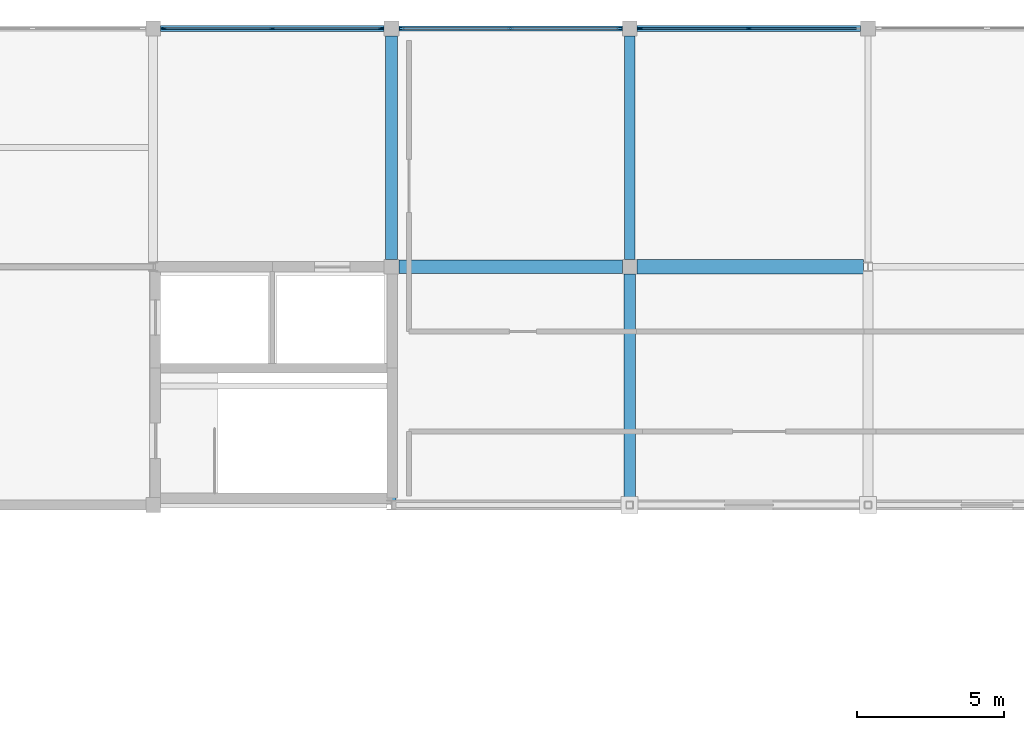
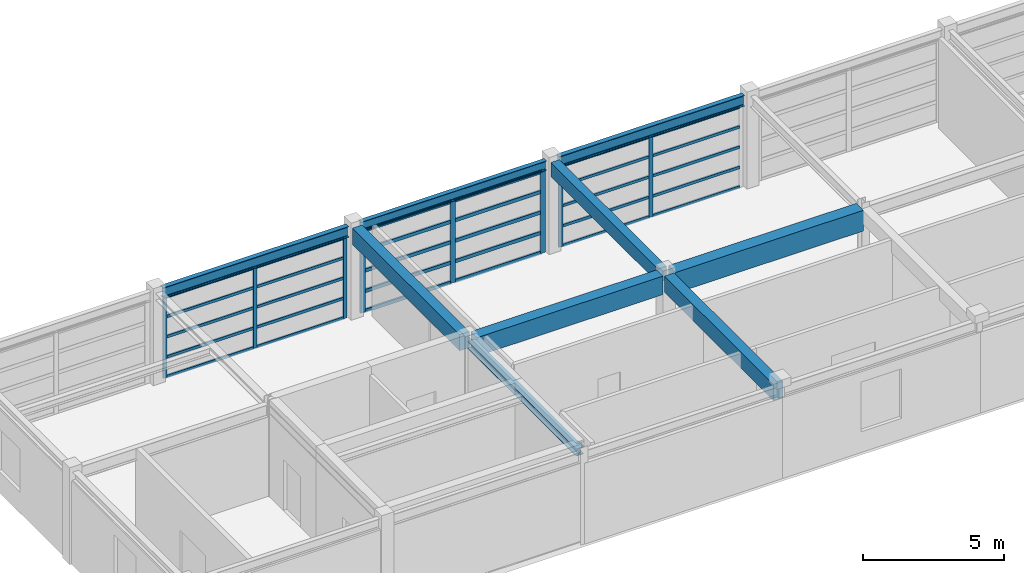
# One storey, part 7 of 19: 38 members, 9 beams, 3 elements without a shape of their own.
"""IFC4 building model written with IfcOpenShell, lengths in metres."""

from ifc_helpers import new_model, si_unit, direction, frame, origin, origin_2d, place, context, subcontext, project, spatial, rectangle, i_section, extrude, material, material_profile, profile_set, type_object, element, aggregate, save


model = new_model("IFC4")

# Units and contexts
model_context = context("Model", 3, precision=1e-05, world=origin(), true_north=direction((0.0, 1.0)))
body_context = subcontext(model_context, "Body", "Model", "MODEL_VIEW")
ifc_project = project(units=[si_unit("LENGTHUNIT", "METRE"), si_unit("AREAUNIT", "SQUARE_METRE"), si_unit("VOLUMEUNIT", "CUBIC_METRE"), si_unit("PLANEANGLEUNIT", "RADIAN"), si_unit("MASSUNIT", "GRAM", prefix="KILO")], contexts=[model_context])

# Site, building, storey
site_placement = place(None, origin())
site = spatial("IfcSite", under=ifc_project, at=site_placement, CompositionType="ELEMENT")
building_placement = place(site_placement, origin())
building = spatial("IfcBuilding", under=site, at=building_placement, Name="Parian Resonance Hall", CompositionType="ELEMENT")
storey_placement = place(building_placement, frame((0.0, 0.0, 23.39990234375)))
storey = spatial("IfcBuildingStorey", under=building, at=storey_placement, Name="L05", CompositionType="ELEMENT", Elevation=23.39990234375)

# Beams
ifc_material_1 = material(Name="Concrete C40/50", Category="concrete")
ifc_material_profile_1 = material_profile(ifc_material_1, rectangle(XDim=0.35009765625, YDim=0.60009765625, at=origin_2d()), Name="RC-BM-350x600")
ifc_profile_set_1 = profile_set([ifc_material_profile_1], Name="Concrete C40/50")
beam_type_1 = type_object("IfcBeamType", Name="BM-RC350x600", PredefinedType="BEAM", material=ifc_profile_set_1)
beam_1_placement = place(storey_placement, frame((72.89990234375, 81.25, 3.670166015625), z_axis=(0.0, 1.0, 0.0), x_axis=(-1.0, 0.0, 0.0)))
element("IfcBeam", 1, at=beam_1_placement, inside=storey, type_object=beam_type_1, Name="GY-L05-1069", PredefinedType="BEAM", context=body_context, shape_type="SweptSolid", body=[
    extrude(rectangle(XDim=0.35009765625, YDim=0.60009765625, at=origin_2d()), origin(), (0.0, 0.0, 1.0), 7.60009765625),
])
ifc_material_2 = material(Name="Concrete C40/50", Category="concrete")
ifc_material_profile_2 = material_profile(ifc_material_2, rectangle(XDim=0.39990234375, YDim=0.699951171875, at=origin_2d()), Name="RC-BM-400x700")
ifc_profile_set_2 = profile_set([ifc_material_profile_2], Name="Concrete C40/50")
beam_type_2 = type_object("IfcBeamType", Name="BM-RC400x700", PredefinedType="BEAM", material=ifc_profile_set_2)
beam_2_placement = place(storey_placement, frame((64.800048828125, 81.25, 3.6201171875), z_axis=(0.0, 1.0, 0.0), x_axis=(-1.0, 0.0, 0.0)))
element("IfcBeam", 2, at=beam_2_placement, inside=storey, type_object=beam_type_2, Name="GY-L05-1067", PredefinedType="BEAM", context=body_context, shape_type="SweptSolid", body=[
    extrude(rectangle(XDim=0.39990234375, YDim=0.699951171875, at=origin_2d()), origin(), (0.0, 0.0, 1.0), 7.60009765625),
])
beam_3_placement = place(storey_placement, frame((72.89990234375, 73.02490234375, 3.6201171875), z_axis=(0.0, 1.0, 0.0), x_axis=(-1.0, 0.0, 0.0)))
element("IfcBeam", 3, at=beam_3_placement, inside=storey, type_object=beam_type_2, Name="GY-L05-1068", PredefinedType="BEAM", context=body_context, shape_type="SweptSolid", body=[
    extrude(rectangle(XDim=0.39990234375, YDim=0.699951171875, at=origin_2d()), origin(), (0.0, 0.0, 1.0), 7.72509765625),
])
ifc_material_3 = material(Name="Concrete C40/50", Category="concrete")
ifc_material_profile_3 = material_profile(ifc_material_3, rectangle(XDim=0.449951171875, YDim=0.800048828125, at=origin_2d()), Name="RC-BM-450x800")
ifc_profile_set_3 = profile_set([ifc_material_profile_3], Name="Concrete C40/50")
beam_type_3 = type_object("IfcBeamType", Name="BM-RC450x800", PredefinedType="USERDEFINED", material=ifc_profile_set_3)
beam_4_placement = place(storey_placement, frame((65.050048828125, 81.0, 3.570068359375), z_axis=(1.0, 0.0, 0.0), x_axis=(0.0, 1.0, 0.0)))
element("IfcBeam", 4, at=beam_4_placement, inside=storey, type_object=beam_type_3, Name="GX-L05-1021", ObjectType="GIRDER", PredefinedType="USERDEFINED", context=body_context, shape_type="SweptSolid", body=[
    extrude(rectangle(XDim=0.449951171875, YDim=0.800048828125, at=origin_2d()), origin(), (0.0, 0.0, 1.0), 7.599853515625),
])
ifc_material_4 = material(Name="Concrete C40/50", Category="concrete")
ifc_material_profile_4 = material_profile(ifc_material_4, rectangle(XDim=0.5, YDim=0.89990234375, at=origin_2d()), Name="RC-BM-500x900")
ifc_profile_set_4 = profile_set([ifc_material_profile_4], Name="Concrete C40/50")
beam_type_4 = type_object("IfcBeamType", Name="BM-RC500x900", PredefinedType="USERDEFINED", material=ifc_profile_set_4)
beam_5_placement = place(storey_placement, frame((73.14990234375, 81.0, 3.52001953125), z_axis=(1.0, 0.0, 0.0), x_axis=(0.0, 1.0, 0.0)))
element("IfcBeam", 5, at=beam_5_placement, inside=storey, type_object=beam_type_4, Name="GX-L05-1024", ObjectType="GIRDER", PredefinedType="USERDEFINED", context=body_context, shape_type="SweptSolid", body=[
    extrude(rectangle(XDim=0.5, YDim=0.89990234375, at=origin_2d()), origin(), (0.0, 0.0, 1.0), 7.697509765625),
])
ifc_material_5 = material(Name="Steel S355", Category="steel")
ifc_material_profile_5 = material_profile(ifc_material_5, i_section(OverallWidth=0.304931640625, OverallDepth=0.30810546875, WebThickness=0.010009765625, FlangeThickness=0.015380859375, FilletRadius=0.01513671875, at=origin_2d()), Name="W310x97")
ifc_profile_set_5 = profile_set([ifc_material_profile_5], Name="Steel S355")
beam_type_5 = type_object("IfcBeamType", Name="BM-W310x97", PredefinedType="BEAM", material=ifc_profile_set_5)
beam_6_placement = place(storey_placement, frame((64.800048828125, 73.053955078125, 3.816162109375), z_axis=(0.0, 1.0, 0.0), x_axis=(-1.0, 0.0, 0.0)))
element("IfcBeam", 6, at=beam_6_placement, inside=storey, type_object=beam_type_5, Name="GY-L05-1066", PredefinedType="BEAM", context=body_context, shape_type="SweptSolid", body=[
    extrude(i_section(OverallWidth=0.304931640625, OverallDepth=0.30810546875, WebThickness=0.010009765625, FlangeThickness=0.015380859375, FilletRadius=0.01513671875, at=origin_2d()), origin(), (0.0, 0.0, 1.0), 7.696044921875),
])
ifc_material_6 = material(Name="Steel S355", Category="steel")
ifc_material_profile_6 = material_profile(ifc_material_6, i_section(OverallWidth=0.180908203125, OverallDepth=0.4169921875, WebThickness=0.010986328125, FlangeThickness=0.018310546875, FilletRadius=0.01513671875, at=origin_2d()), Name="W410x85")
ifc_profile_set_6 = profile_set([ifc_material_profile_6], Name="Steel S355")
beam_type_6 = type_object("IfcBeamType", Name="BM-W410x85", PredefinedType="SPANDREL", material=ifc_profile_set_6)
beam_7_placement = place(storey_placement, frame((65.050048828125, 89.10009765625, 3.76171875), z_axis=(1.0, 0.0, 0.0), x_axis=(0.0, 1.0, 0.0)))
element("IfcBeam", 7, at=beam_7_placement, inside=storey, type_object=beam_type_6, Name="GX-L05-1022", PredefinedType="SPANDREL", context=body_context, shape_type="SweptSolid", body=[
    extrude(i_section(OverallWidth=0.180908203125, OverallDepth=0.4169921875, WebThickness=0.010986328125, FlangeThickness=0.018310546875, FilletRadius=0.01513671875, at=origin_2d()), origin(), (0.0, 0.0, 1.0), 7.599853515625),
])
ifc_material_7 = material(Name="Steel S355", Category="steel")
ifc_material_profile_7 = material_profile(ifc_material_7, i_section(OverallWidth=0.194091796875, OverallDepth=0.468994140625, WebThickness=0.0126953125, FlangeThickness=0.0205078125, FilletRadius=0.01513671875, at=origin_2d()), Name="W460x106")
ifc_profile_set_7 = profile_set([ifc_material_profile_7], Name="Steel S355")
beam_type_7 = type_object("IfcBeamType", Name="BM-W460x106", PredefinedType="SPANDREL", material=ifc_profile_set_7)
for number, where, z_axis, x_axis, name in (
    (8, (56.949951171875, 89.10009765625, 3.735595703125), (1.0, 0.0, 0.0), (0.0, 1.0, 0.0), "GX-L05-1019"),
    (9, (73.14990234375, 89.10009765625, 3.735595703125), (1.0, 0.0, 0.0), (0.0, 1.0, 0.0), "GX-L05-1025"),
):
    element("IfcBeam", number, at=place(storey_placement, frame(where, z_axis=z_axis, x_axis=x_axis)), inside=storey, type_object=beam_type_7, Name=name, PredefinedType="SPANDREL", context=body_context, shape_type="SweptSolid", body=[
        extrude(i_section(OverallWidth=0.194091796875, OverallDepth=0.468994140625, WebThickness=0.0126953125, FlangeThickness=0.0205078125, FilletRadius=0.01513671875, at=origin_2d()), origin(), (0.0, 0.0, 1.0), 7.60009765625),
    ])

# Curtain wall, members
ifc_material_8 = material(Name="Bronze-anodised aluminium frame", Category="aluminium")
curtain_wall_type_1 = type_object("IfcCurtainWallType", Name="CW-SYS-02", PredefinedType="NOTDEFINED", material=ifc_material_8)
curtain_wall_1_placement = place(storey_placement, origin())
curtain_wall_1 = element("IfcCurtainWall", 10, at=curtain_wall_1_placement, inside=storey, type_object=curtain_wall_type_1, Name="Curtain wall CW-L05-153", PredefinedType="NOTDEFINED")
ifc_material_9 = material(Name="Bronze-anodised aluminium frame", Category="aluminium")
ifc_material_profile_8 = material_profile(ifc_material_9, rectangle(XDim=0.06494140625, YDim=0.159912109375, at=origin_2d()), Name="CWM-65x160")
ifc_profile_set_8 = profile_set([ifc_material_profile_8], Name="Bronze-anodised aluminium frame")
member_type_1 = type_object("IfcMemberType", Name="CWM-65x160", PredefinedType="MULLION", material=ifc_profile_set_8)
member_1_placement = place(storey_placement, frame((57.0625, 89.10009765625, -0.0078125), z_axis=(0.0, 0.0, 1.0), x_axis=(0.0, 1.0, 0.0)))
member_1 = element("IfcMember", 11, at=member_1_placement, type_object=member_type_1, Name="CW-02 mullion 1", PredefinedType="MULLION", context=body_context, shape_type="SweptSolid", body=[
    extrude(rectangle(XDim=0.06494140625, YDim=0.159912109375, at=origin_2d()), origin(), (0.0, 0.0, 1.0), 3.512939453125),
])
member_2_placement = place(storey_placement, frame((60.75, 89.10009765625, -0.0078125), z_axis=(0.0, 0.0, 1.0), x_axis=(0.0, 1.0, 0.0)))
member_2 = element("IfcMember", 12, at=member_2_placement, type_object=member_type_1, Name="CW-02 mullion 2", PredefinedType="MULLION", context=body_context, shape_type="SweptSolid", body=[
    extrude(rectangle(XDim=0.06494140625, YDim=0.159912109375, at=origin_2d()), origin(), (0.0, 0.0, 1.0), 3.512939453125),
])
member_3_placement = place(storey_placement, frame((64.4375, 89.10009765625, -0.0078125), z_axis=(0.0, 0.0, 1.0), x_axis=(0.0, 1.0, 0.0)))
member_3 = element("IfcMember", 13, at=member_3_placement, type_object=member_type_1, Name="CW-02 mullion 3", PredefinedType="MULLION", context=body_context, shape_type="SweptSolid", body=[
    extrude(rectangle(XDim=0.06494140625, YDim=0.159912109375, at=origin_2d()), origin(), (0.0, 0.0, 1.0), 3.512939453125),
])

ifc_material_10 = material(Name="Bronze-anodised aluminium frame", Category="aluminium")
curtain_wall_type_2 = type_object("IfcCurtainWallType", Name="CW-SYS-04", PredefinedType="NOTDEFINED", material=ifc_material_10)
curtain_wall_2_placement = place(storey_placement, origin())
curtain_wall_2 = element("IfcCurtainWall", 14, at=curtain_wall_2_placement, inside=storey, type_object=curtain_wall_type_2, Name="Curtain wall CW-L05-155", PredefinedType="NOTDEFINED")
member_4_placement = place(storey_placement, frame((73.262451171875, 89.10009765625, -0.0078125), z_axis=(0.0, 0.0, 1.0), x_axis=(0.0, 1.0, 0.0)))
member_4 = element("IfcMember", 15, at=member_4_placement, type_object=member_type_1, Name="CW-04 mullion 1", PredefinedType="MULLION", context=body_context, shape_type="SweptSolid", body=[
    extrude(rectangle(XDim=0.06494140625, YDim=0.159912109375, at=origin_2d()), origin(), (0.0, 0.0, 1.0), 3.512939453125),
])
member_5_placement = place(storey_placement, frame((76.949951171875, 89.10009765625, -0.0078125), z_axis=(0.0, 0.0, 1.0), x_axis=(0.0, 1.0, 0.0)))
member_5 = element("IfcMember", 16, at=member_5_placement, type_object=member_type_1, Name="CW-04 mullion 2", PredefinedType="MULLION", context=body_context, shape_type="SweptSolid", body=[
    extrude(rectangle(XDim=0.06494140625, YDim=0.159912109375, at=origin_2d()), origin(), (0.0, 0.0, 1.0), 3.512939453125),
])

ifc_material_11 = material(Name="Bronze-anodised aluminium frame", Category="aluminium")
curtain_wall_type_3 = type_object("IfcCurtainWallType", Name="CW-SYS-03", PredefinedType="NOTDEFINED", material=ifc_material_11)
curtain_wall_3_placement = place(storey_placement, origin())
curtain_wall_3 = element("IfcCurtainWall", 17, at=curtain_wall_3_placement, inside=storey, type_object=curtain_wall_type_3, Name="Curtain wall CW-L05-154", PredefinedType="NOTDEFINED")
ifc_material_12 = material(Name="Bronze-anodised aluminium frame", Category="aluminium")
ifc_material_profile_9 = material_profile(ifc_material_12, rectangle(XDim=0.074951171875, YDim=0.199951171875, at=origin_2d()), Name="CWM-75x200")
ifc_profile_set_9 = profile_set([ifc_material_profile_9], Name="Bronze-anodised aluminium frame")
member_type_2 = type_object("IfcMemberType", Name="CWM-75x200", PredefinedType="MULLION", material=ifc_profile_set_9)
member_6_placement = place(storey_placement, frame((65.16748046875, 89.10009765625, -0.0078125), z_axis=(0.0, 0.0, 1.0), x_axis=(0.0, 1.0, 0.0)))
member_6 = element("IfcMember", 18, at=member_6_placement, type_object=member_type_2, Name="CW-03 mullion 1", PredefinedType="MULLION", context=body_context, shape_type="SweptSolid", body=[
    extrude(rectangle(XDim=0.074951171875, YDim=0.199951171875, at=origin_2d()), origin(), (0.0, 0.0, 1.0), 3.56494140625),
])
member_7_placement = place(storey_placement, frame((68.85009765625, 89.10009765625, -0.0078125), z_axis=(0.0, 0.0, 1.0), x_axis=(0.0, 1.0, 0.0)))
member_7 = element("IfcMember", 19, at=member_7_placement, type_object=member_type_2, Name="CW-03 mullion 2", PredefinedType="MULLION", context=body_context, shape_type="SweptSolid", body=[
    extrude(rectangle(XDim=0.074951171875, YDim=0.199951171875, at=origin_2d()), origin(), (0.0, 0.0, 1.0), 3.56494140625),
])
member_8_placement = place(storey_placement, frame((72.532470703125, 89.10009765625, -0.0078125), z_axis=(0.0, 0.0, 1.0), x_axis=(0.0, 1.0, 0.0)))
member_8 = element("IfcMember", 20, at=member_8_placement, type_object=member_type_2, Name="CW-03 mullion 3", PredefinedType="MULLION", context=body_context, shape_type="SweptSolid", body=[
    extrude(rectangle(XDim=0.074951171875, YDim=0.199951171875, at=origin_2d()), origin(), (0.0, 0.0, 1.0), 3.56494140625),
])

# Member
ifc_material_13 = material(Name="Bronze-anodised aluminium frame", Category="aluminium")
ifc_material_profile_10 = material_profile(ifc_material_13, rectangle(XDim=0.06494140625, YDim=0.1201171875, at=origin_2d()), Name="CWT-65x120")
ifc_profile_set_10 = profile_set([ifc_material_profile_10], Name="Bronze-anodised aluminium frame")
member_type_3 = type_object("IfcMemberType", Name="CWT-65x120", PredefinedType="USERDEFINED", material=ifc_profile_set_10)
member_9_placement = place(storey_placement, frame((57.094970703125, 89.10009765625, 0.024658203125), z_axis=(1.0, 0.0, 0.0), x_axis=(0.0, 1.0, 0.0)))
member_9 = element("IfcMember", 21, at=member_9_placement, type_object=member_type_3, Name="CW-02 transom 1.1", ObjectType="TRANSOM", PredefinedType="USERDEFINED", context=body_context, shape_type="SweptSolid", body=[
    extrude(rectangle(XDim=0.06494140625, YDim=0.1201171875, at=origin_2d()), origin(), (0.0, 0.0, 1.0), 3.62255859375),
])

member_10_placement = place(storey_placement, frame((57.094970703125, 89.10009765625, 0.873779296875), z_axis=(1.0, 0.0, 0.0), x_axis=(0.0, 1.0, 0.0)))
member_10 = element("IfcMember", 22, at=member_10_placement, type_object=member_type_3, Name="CW-02 transom 1.2", ObjectType="TRANSOM", PredefinedType="USERDEFINED", context=body_context, shape_type="SweptSolid", body=[
    extrude(rectangle(XDim=0.06494140625, YDim=0.1201171875, at=origin_2d()), origin(), (0.0, 0.0, 1.0), 3.62255859375),
])

member_11_placement = place(storey_placement, frame((57.094970703125, 89.10009765625, 1.74755859375), z_axis=(1.0, 0.0, 0.0), x_axis=(0.0, 1.0, 0.0)))
member_11 = element("IfcMember", 23, at=member_11_placement, type_object=member_type_3, Name="CW-02 transom 1.3", ObjectType="TRANSOM", PredefinedType="USERDEFINED", context=body_context, shape_type="SweptSolid", body=[
    extrude(rectangle(XDim=0.06494140625, YDim=0.1201171875, at=origin_2d()), origin(), (0.0, 0.0, 1.0), 3.62255859375),
])

member_12_placement = place(storey_placement, frame((57.094970703125, 89.10009765625, 2.621337890625), z_axis=(1.0, 0.0, 0.0), x_axis=(0.0, 1.0, 0.0)))
member_12 = element("IfcMember", 24, at=member_12_placement, type_object=member_type_3, Name="CW-02 transom 1.4", ObjectType="TRANSOM", PredefinedType="USERDEFINED", context=body_context, shape_type="SweptSolid", body=[
    extrude(rectangle(XDim=0.06494140625, YDim=0.1201171875, at=origin_2d()), origin(), (0.0, 0.0, 1.0), 3.62255859375),
])

member_13_placement = place(storey_placement, frame((57.094970703125, 89.10009765625, 3.47265625), z_axis=(1.0, 0.0, 0.0), x_axis=(0.0, 1.0, 0.0)))
member_13 = element("IfcMember", 25, at=member_13_placement, type_object=member_type_3, Name="CW-02 transom 1.5", ObjectType="TRANSOM", PredefinedType="USERDEFINED", context=body_context, shape_type="SweptSolid", body=[
    extrude(rectangle(XDim=0.06494140625, YDim=0.1201171875, at=origin_2d()), origin(), (0.0, 0.0, 1.0), 3.62255859375),
])

member_14_placement = place(storey_placement, frame((60.782470703125, 89.10009765625, 0.024658203125), z_axis=(1.0, 0.0, 0.0), x_axis=(0.0, 1.0, 0.0)))
member_14 = element("IfcMember", 26, at=member_14_placement, type_object=member_type_3, Name="CW-02 transom 2.1", ObjectType="TRANSOM", PredefinedType="USERDEFINED", context=body_context, shape_type="SweptSolid", body=[
    extrude(rectangle(XDim=0.06494140625, YDim=0.1201171875, at=origin_2d()), origin(), (0.0, 0.0, 1.0), 3.62255859375),
])

member_15_placement = place(storey_placement, frame((60.782470703125, 89.10009765625, 0.873779296875), z_axis=(1.0, 0.0, 0.0), x_axis=(0.0, 1.0, 0.0)))
member_15 = element("IfcMember", 27, at=member_15_placement, type_object=member_type_3, Name="CW-02 transom 2.2", ObjectType="TRANSOM", PredefinedType="USERDEFINED", context=body_context, shape_type="SweptSolid", body=[
    extrude(rectangle(XDim=0.06494140625, YDim=0.1201171875, at=origin_2d()), origin(), (0.0, 0.0, 1.0), 3.62255859375),
])

member_16_placement = place(storey_placement, frame((60.782470703125, 89.10009765625, 1.74755859375), z_axis=(1.0, 0.0, 0.0), x_axis=(0.0, 1.0, 0.0)))
member_16 = element("IfcMember", 28, at=member_16_placement, type_object=member_type_3, Name="CW-02 transom 2.3", ObjectType="TRANSOM", PredefinedType="USERDEFINED", context=body_context, shape_type="SweptSolid", body=[
    extrude(rectangle(XDim=0.06494140625, YDim=0.1201171875, at=origin_2d()), origin(), (0.0, 0.0, 1.0), 3.62255859375),
])

member_17_placement = place(storey_placement, frame((60.782470703125, 89.10009765625, 2.621337890625), z_axis=(1.0, 0.0, 0.0), x_axis=(0.0, 1.0, 0.0)))
member_17 = element("IfcMember", 29, at=member_17_placement, type_object=member_type_3, Name="CW-02 transom 2.4", ObjectType="TRANSOM", PredefinedType="USERDEFINED", context=body_context, shape_type="SweptSolid", body=[
    extrude(rectangle(XDim=0.06494140625, YDim=0.1201171875, at=origin_2d()), origin(), (0.0, 0.0, 1.0), 3.62255859375),
])

member_18_placement = place(storey_placement, frame((60.782470703125, 89.10009765625, 3.47265625), z_axis=(1.0, 0.0, 0.0), x_axis=(0.0, 1.0, 0.0)))
member_18 = element("IfcMember", 30, at=member_18_placement, type_object=member_type_3, Name="CW-02 transom 2.5", ObjectType="TRANSOM", PredefinedType="USERDEFINED", context=body_context, shape_type="SweptSolid", body=[
    extrude(rectangle(XDim=0.06494140625, YDim=0.1201171875, at=origin_2d()), origin(), (0.0, 0.0, 1.0), 3.62255859375),
])

aggregate(curtain_wall_1, [member_1, member_2, member_3, member_9, member_10, member_11, member_12, member_13, member_14, member_15, member_16, member_17, member_18])

member_19_placement = place(storey_placement, frame((73.294921875, 89.10009765625, 0.024658203125), z_axis=(1.0, 0.0, 0.0), x_axis=(0.0, 1.0, 0.0)))
member_19 = element("IfcMember", 31, at=member_19_placement, type_object=member_type_3, Name="CW-04 transom 1.1", ObjectType="TRANSOM", PredefinedType="USERDEFINED", context=body_context, shape_type="SweptSolid", body=[
    extrude(rectangle(XDim=0.06494140625, YDim=0.1201171875, at=origin_2d()), origin(), (0.0, 0.0, 1.0), 3.62255859375),
])

member_20_placement = place(storey_placement, frame((73.294921875, 89.10009765625, 0.873779296875), z_axis=(1.0, 0.0, 0.0), x_axis=(0.0, 1.0, 0.0)))
member_20 = element("IfcMember", 32, at=member_20_placement, type_object=member_type_3, Name="CW-04 transom 1.2", ObjectType="TRANSOM", PredefinedType="USERDEFINED", context=body_context, shape_type="SweptSolid", body=[
    extrude(rectangle(XDim=0.06494140625, YDim=0.1201171875, at=origin_2d()), origin(), (0.0, 0.0, 1.0), 3.62255859375),
])

member_21_placement = place(storey_placement, frame((73.294921875, 89.10009765625, 1.74755859375), z_axis=(1.0, 0.0, 0.0), x_axis=(0.0, 1.0, 0.0)))
member_21 = element("IfcMember", 33, at=member_21_placement, type_object=member_type_3, Name="CW-04 transom 1.3", ObjectType="TRANSOM", PredefinedType="USERDEFINED", context=body_context, shape_type="SweptSolid", body=[
    extrude(rectangle(XDim=0.06494140625, YDim=0.1201171875, at=origin_2d()), origin(), (0.0, 0.0, 1.0), 3.62255859375),
])

member_22_placement = place(storey_placement, frame((73.294921875, 89.10009765625, 2.621337890625), z_axis=(1.0, 0.0, 0.0), x_axis=(0.0, 1.0, 0.0)))
member_22 = element("IfcMember", 34, at=member_22_placement, type_object=member_type_3, Name="CW-04 transom 1.4", ObjectType="TRANSOM", PredefinedType="USERDEFINED", context=body_context, shape_type="SweptSolid", body=[
    extrude(rectangle(XDim=0.06494140625, YDim=0.1201171875, at=origin_2d()), origin(), (0.0, 0.0, 1.0), 3.62255859375),
])

member_23_placement = place(storey_placement, frame((73.294921875, 89.10009765625, 3.47265625), z_axis=(1.0, 0.0, 0.0), x_axis=(0.0, 1.0, 0.0)))
member_23 = element("IfcMember", 35, at=member_23_placement, type_object=member_type_3, Name="CW-04 transom 1.5", ObjectType="TRANSOM", PredefinedType="USERDEFINED", context=body_context, shape_type="SweptSolid", body=[
    extrude(rectangle(XDim=0.06494140625, YDim=0.1201171875, at=origin_2d()), origin(), (0.0, 0.0, 1.0), 3.62255859375),
])

member_24_placement = place(storey_placement, frame((76.982421875, 89.10009765625, 0.024658203125), z_axis=(1.0, 0.0, 0.0), x_axis=(0.0, 1.0, 0.0)))
member_24 = element("IfcMember", 36, at=member_24_placement, type_object=member_type_3, Name="CW-04 transom 2.1", ObjectType="TRANSOM", PredefinedType="USERDEFINED", context=body_context, shape_type="SweptSolid", body=[
    extrude(rectangle(XDim=0.06494140625, YDim=0.1201171875, at=origin_2d()), origin(), (0.0, 0.0, 1.0), 3.62255859375),
])

member_25_placement = place(storey_placement, frame((76.982421875, 89.10009765625, 0.873779296875), z_axis=(1.0, 0.0, 0.0), x_axis=(0.0, 1.0, 0.0)))
member_25 = element("IfcMember", 37, at=member_25_placement, type_object=member_type_3, Name="CW-04 transom 2.2", ObjectType="TRANSOM", PredefinedType="USERDEFINED", context=body_context, shape_type="SweptSolid", body=[
    extrude(rectangle(XDim=0.06494140625, YDim=0.1201171875, at=origin_2d()), origin(), (0.0, 0.0, 1.0), 3.62255859375),
])

member_26_placement = place(storey_placement, frame((76.982421875, 89.10009765625, 1.74755859375), z_axis=(1.0, 0.0, 0.0), x_axis=(0.0, 1.0, 0.0)))
member_26 = element("IfcMember", 38, at=member_26_placement, type_object=member_type_3, Name="CW-04 transom 2.3", ObjectType="TRANSOM", PredefinedType="USERDEFINED", context=body_context, shape_type="SweptSolid", body=[
    extrude(rectangle(XDim=0.06494140625, YDim=0.1201171875, at=origin_2d()), origin(), (0.0, 0.0, 1.0), 3.62255859375),
])

member_27_placement = place(storey_placement, frame((76.982421875, 89.10009765625, 2.621337890625), z_axis=(1.0, 0.0, 0.0), x_axis=(0.0, 1.0, 0.0)))
member_27 = element("IfcMember", 39, at=member_27_placement, type_object=member_type_3, Name="CW-04 transom 2.4", ObjectType="TRANSOM", PredefinedType="USERDEFINED", context=body_context, shape_type="SweptSolid", body=[
    extrude(rectangle(XDim=0.06494140625, YDim=0.1201171875, at=origin_2d()), origin(), (0.0, 0.0, 1.0), 3.62255859375),
])

member_28_placement = place(storey_placement, frame((76.982421875, 89.10009765625, 3.47265625), z_axis=(1.0, 0.0, 0.0), x_axis=(0.0, 1.0, 0.0)))
member_28 = element("IfcMember", 40, at=member_28_placement, type_object=member_type_3, Name="CW-04 transom 2.5", ObjectType="TRANSOM", PredefinedType="USERDEFINED", context=body_context, shape_type="SweptSolid", body=[
    extrude(rectangle(XDim=0.06494140625, YDim=0.1201171875, at=origin_2d()), origin(), (0.0, 0.0, 1.0), 3.62255859375),
])

aggregate(curtain_wall_2, [member_4, member_5, member_19, member_20, member_21, member_22, member_23, member_24, member_25, member_26, member_27, member_28])

ifc_material_14 = material(Name="Bronze-anodised aluminium frame", Category="aluminium")
ifc_material_profile_11 = material_profile(ifc_material_14, rectangle(XDim=0.074951171875, YDim=0.14990234375, at=origin_2d()), Name="CWT-75x150")
ifc_profile_set_11 = profile_set([ifc_material_profile_11], Name="Bronze-anodised aluminium frame")
member_type_4 = type_object("IfcMemberType", Name="CWT-75x150", PredefinedType="USERDEFINED", material=ifc_profile_set_11)
member_29_placement = place(storey_placement, frame((65.205078125, 89.10009765625, 0.029541015625), z_axis=(1.0, 0.0, 0.0), x_axis=(0.0, 1.0, 0.0)))
member_29 = element("IfcMember", 41, at=member_29_placement, type_object=member_type_4, Name="CW-03 transom 1.1", ObjectType="TRANSOM", PredefinedType="USERDEFINED", context=body_context, shape_type="SweptSolid", body=[
    extrude(rectangle(XDim=0.074951171875, YDim=0.14990234375, at=origin_2d()), origin(), (0.0, 0.0, 1.0), 3.607421875),
])

member_30_placement = place(storey_placement, frame((65.205078125, 89.10009765625, 0.88671875), z_axis=(1.0, 0.0, 0.0), x_axis=(0.0, 1.0, 0.0)))
member_30 = element("IfcMember", 42, at=member_30_placement, type_object=member_type_4, Name="CW-03 transom 1.2", ObjectType="TRANSOM", PredefinedType="USERDEFINED", context=body_context, shape_type="SweptSolid", body=[
    extrude(rectangle(XDim=0.074951171875, YDim=0.14990234375, at=origin_2d()), origin(), (0.0, 0.0, 1.0), 3.607421875),
])

member_31_placement = place(storey_placement, frame((65.205078125, 89.10009765625, 1.773681640625), z_axis=(1.0, 0.0, 0.0), x_axis=(0.0, 1.0, 0.0)))
member_31 = element("IfcMember", 43, at=member_31_placement, type_object=member_type_4, Name="CW-03 transom 1.3", ObjectType="TRANSOM", PredefinedType="USERDEFINED", context=body_context, shape_type="SweptSolid", body=[
    extrude(rectangle(XDim=0.074951171875, YDim=0.14990234375, at=origin_2d()), origin(), (0.0, 0.0, 1.0), 3.607421875),
])

member_32_placement = place(storey_placement, frame((65.205078125, 89.10009765625, 2.660400390625), z_axis=(1.0, 0.0, 0.0), x_axis=(0.0, 1.0, 0.0)))
member_32 = element("IfcMember", 44, at=member_32_placement, type_object=member_type_4, Name="CW-03 transom 1.4", ObjectType="TRANSOM", PredefinedType="USERDEFINED", context=body_context, shape_type="SweptSolid", body=[
    extrude(rectangle(XDim=0.074951171875, YDim=0.14990234375, at=origin_2d()), origin(), (0.0, 0.0, 1.0), 3.607421875),
])

member_33_placement = place(storey_placement, frame((65.205078125, 89.10009765625, 3.51953125), z_axis=(1.0, 0.0, 0.0), x_axis=(0.0, 1.0, 0.0)))
member_33 = element("IfcMember", 45, at=member_33_placement, type_object=member_type_4, Name="CW-03 transom 1.5", ObjectType="TRANSOM", PredefinedType="USERDEFINED", context=body_context, shape_type="SweptSolid", body=[
    extrude(rectangle(XDim=0.074951171875, YDim=0.14990234375, at=origin_2d()), origin(), (0.0, 0.0, 1.0), 3.607421875),
])

member_34_placement = place(storey_placement, frame((68.887451171875, 89.10009765625, 0.029541015625), z_axis=(1.0, 0.0, 0.0), x_axis=(0.0, 1.0, 0.0)))
member_34 = element("IfcMember", 46, at=member_34_placement, type_object=member_type_4, Name="CW-03 transom 2.1", ObjectType="TRANSOM", PredefinedType="USERDEFINED", context=body_context, shape_type="SweptSolid", body=[
    extrude(rectangle(XDim=0.074951171875, YDim=0.14990234375, at=origin_2d()), origin(), (0.0, 0.0, 1.0), 3.607666015625),
])

member_35_placement = place(storey_placement, frame((68.887451171875, 89.10009765625, 0.88671875), z_axis=(1.0, 0.0, 0.0), x_axis=(0.0, 1.0, 0.0)))
member_35 = element("IfcMember", 47, at=member_35_placement, type_object=member_type_4, Name="CW-03 transom 2.2", ObjectType="TRANSOM", PredefinedType="USERDEFINED", context=body_context, shape_type="SweptSolid", body=[
    extrude(rectangle(XDim=0.074951171875, YDim=0.14990234375, at=origin_2d()), origin(), (0.0, 0.0, 1.0), 3.607666015625),
])

member_36_placement = place(storey_placement, frame((68.887451171875, 89.10009765625, 1.773681640625), z_axis=(1.0, 0.0, 0.0), x_axis=(0.0, 1.0, 0.0)))
member_36 = element("IfcMember", 48, at=member_36_placement, type_object=member_type_4, Name="CW-03 transom 2.3", ObjectType="TRANSOM", PredefinedType="USERDEFINED", context=body_context, shape_type="SweptSolid", body=[
    extrude(rectangle(XDim=0.074951171875, YDim=0.14990234375, at=origin_2d()), origin(), (0.0, 0.0, 1.0), 3.607666015625),
])

member_37_placement = place(storey_placement, frame((68.887451171875, 89.10009765625, 2.660400390625), z_axis=(1.0, 0.0, 0.0), x_axis=(0.0, 1.0, 0.0)))
member_37 = element("IfcMember", 49, at=member_37_placement, type_object=member_type_4, Name="CW-03 transom 2.4", ObjectType="TRANSOM", PredefinedType="USERDEFINED", context=body_context, shape_type="SweptSolid", body=[
    extrude(rectangle(XDim=0.074951171875, YDim=0.14990234375, at=origin_2d()), origin(), (0.0, 0.0, 1.0), 3.607666015625),
])

member_38_placement = place(storey_placement, frame((68.887451171875, 89.10009765625, 3.51953125), z_axis=(1.0, 0.0, 0.0), x_axis=(0.0, 1.0, 0.0)))
member_38 = element("IfcMember", 50, at=member_38_placement, type_object=member_type_4, Name="CW-03 transom 2.5", ObjectType="TRANSOM", PredefinedType="USERDEFINED", context=body_context, shape_type="SweptSolid", body=[
    extrude(rectangle(XDim=0.074951171875, YDim=0.14990234375, at=origin_2d()), origin(), (0.0, 0.0, 1.0), 3.607666015625),
])

aggregate(curtain_wall_3, [member_6, member_7, member_8, member_29, member_30, member_31, member_32, member_33, member_34, member_35, member_36, member_37, member_38])

save(model, "model.ifc")
